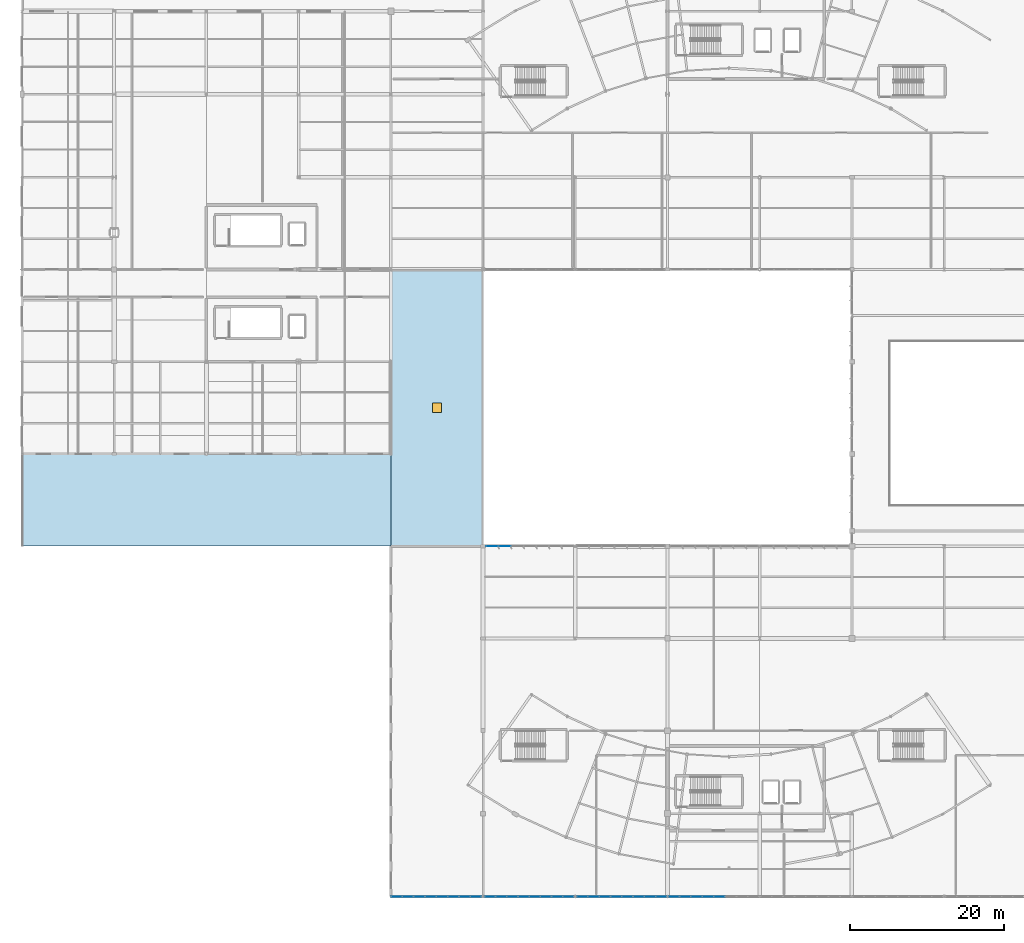
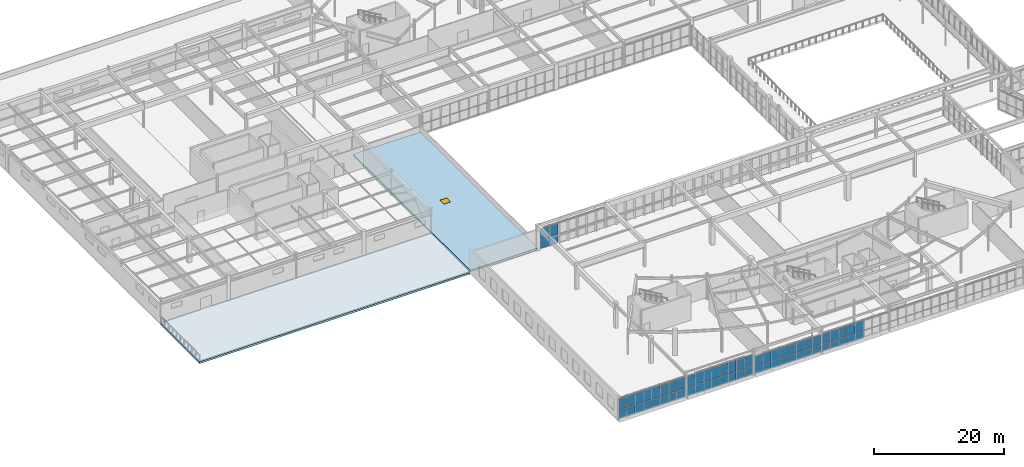
# One storey, part 113 of 186: 62 plates, 2 slabs, 1 door, 1 opening, 5 elements without a shape of their own.
"""IFC4 building model written with IfcOpenShell, lengths in metres."""

from ifc_helpers import new_model, si_unit, direction, frame, origin, origin_2d, place, context, subcontext, project, spatial, polyline, rectangle, outline, extrude, material, layer, layer_set, type_object, element, fill, aggregate, save


model = new_model("IFC4")

# Units and contexts
model_context = context("Model", 3, precision=1e-05, world=origin(), true_north=direction((0.0, 1.0)))
body_context = subcontext(model_context, "Body", "Model", "MODEL_VIEW")
ifc_project = project(units=[si_unit("LENGTHUNIT", "METRE"), si_unit("AREAUNIT", "SQUARE_METRE"), si_unit("VOLUMEUNIT", "CUBIC_METRE"), si_unit("PLANEANGLEUNIT", "RADIAN"), si_unit("MASSUNIT", "GRAM", prefix="KILO")], contexts=[model_context])

# Site, building, storey
site_placement = place(None, origin())
site = spatial("IfcSite", under=ifc_project, at=site_placement, CompositionType="ELEMENT")
building_placement = place(site_placement, origin())
building = spatial("IfcBuilding", under=site, at=building_placement, Name="Tarnwether General Hospital", CompositionType="ELEMENT")
storey_placement = place(building_placement, frame((0.0, 0.0, 9.60009765625)))
storey = spatial("IfcBuildingStorey", under=building, at=storey_placement, Name="L02", CompositionType="ELEMENT", Elevation=9.60009765625)

# Curtain wall, plates
ifc_material_1 = material(Name="Anodised aluminium", Category="aluminium")
ifc_layer_1 = layer(ifc_material_1, 0.159912109375)
ifc_layer_set_1 = layer_set([ifc_layer_1], Name="Anodised aluminium")
curtain_wall_type_1 = type_object("IfcCurtainWallType", Name="CW-13", PredefinedType="NOTDEFINED", material=ifc_layer_set_1)
curtain_wall_1_placement = place(storey_placement, origin())
curtain_wall_1 = element("IfcCurtainWall", 1, at=curtain_wall_1_placement, inside=storey, type_object=curtain_wall_type_1, Name="Curtain Wall CWG-L02-959_0-0412", PredefinedType="NOTDEFINED")
ifc_material_2 = material(Name="Double glazed low-E glass", Category="glass")
ifc_layer_2 = layer(ifc_material_2, 0.028076171875)
ifc_layer_set_2 = layer_set([ifc_layer_2], Name="Double glazed low-E glass")
plate_type = type_object("IfcPlateType", Name="PT-CWP1", PredefinedType="CURTAIN_PANEL", material=ifc_layer_set_2)
plate_1_placement = place(storey_placement, frame((90.7412109375, 0.0, 0.059814453125), z_axis=(0.0, 0.0, 1.0), x_axis=(-1.0, 0.0, 0.0)))
plate_1 = element("IfcPlate", 2, at=plate_1_placement, type_object=plate_type, Name="CW-13 panel 4.1", PredefinedType="CURTAIN_PANEL", context=body_context, shape_type="SweptSolid", body=[
    extrude(rectangle(XDim=1.42236328125, YDim=0.028076171875, at=origin_2d()), origin(), (0.0, 0.0, 1.0), 1.46923828125),
])
plate_2_placement = place(storey_placement, frame((90.7412109375, 0.0, 1.58935546875), z_axis=(0.0, 0.0, 1.0), x_axis=(-1.0, 0.0, 0.0)))
plate_2 = element("IfcPlate", 3, at=plate_2_placement, type_object=plate_type, Name="CW-13 panel 4.2", PredefinedType="CURTAIN_PANEL", context=body_context, shape_type="SweptSolid", body=[
    extrude(rectangle(XDim=1.42236328125, YDim=0.028076171875, at=origin_2d()), origin(), (0.0, 0.0, 1.0), 1.815673828125),
])
plate_3_placement = place(storey_placement, frame((89.2587890625, 0.0, 0.059814453125), z_axis=(0.0, 0.0, 1.0), x_axis=(-1.0, 0.0, 0.0)))
plate_3 = element("IfcPlate", 4, at=plate_3_placement, type_object=plate_type, Name="CW-13 panel 5.1", PredefinedType="CURTAIN_PANEL", context=body_context, shape_type="SweptSolid", body=[
    extrude(rectangle(XDim=1.42236328125, YDim=0.028076171875, at=origin_2d()), origin(), (0.0, 0.0, 1.0), 1.46923828125),
])
plate_4_placement = place(storey_placement, frame((89.2587890625, 0.0, 1.58935546875), z_axis=(0.0, 0.0, 1.0), x_axis=(-1.0, 0.0, 0.0)))
plate_4 = element("IfcPlate", 5, at=plate_4_placement, type_object=plate_type, Name="CW-13 panel 5.2", PredefinedType="CURTAIN_PANEL", context=body_context, shape_type="SweptSolid", body=[
    extrude(rectangle(XDim=1.42236328125, YDim=0.028076171875, at=origin_2d()), origin(), (0.0, 0.0, 1.0), 1.815673828125),
])
plate_5_placement = place(storey_placement, frame((87.776611328125, 0.0, 0.059814453125), z_axis=(0.0, 0.0, 1.0), x_axis=(-1.0, 0.0, 0.0)))
plate_5 = element("IfcPlate", 6, at=plate_5_placement, type_object=plate_type, Name="CW-13 panel 6.1", PredefinedType="CURTAIN_PANEL", context=body_context, shape_type="SweptSolid", body=[
    extrude(rectangle(XDim=1.42236328125, YDim=0.028076171875, at=origin_2d()), origin(), (0.0, 0.0, 1.0), 1.46923828125),
])
plate_6_placement = place(storey_placement, frame((87.776611328125, 0.0, 1.58935546875), z_axis=(0.0, 0.0, 1.0), x_axis=(-1.0, 0.0, 0.0)))
plate_6 = element("IfcPlate", 7, at=plate_6_placement, type_object=plate_type, Name="CW-13 panel 6.2", PredefinedType="CURTAIN_PANEL", context=body_context, shape_type="SweptSolid", body=[
    extrude(rectangle(XDim=1.42236328125, YDim=0.028076171875, at=origin_2d()), origin(), (0.0, 0.0, 1.0), 1.815673828125),
])
plate_7_placement = place(storey_placement, frame((86.29443359375, 0.0, 0.059814453125), z_axis=(0.0, 0.0, 1.0), x_axis=(-1.0, 0.0, 0.0)))
plate_7 = element("IfcPlate", 8, at=plate_7_placement, type_object=plate_type, Name="CW-13 panel 7.1", PredefinedType="CURTAIN_PANEL", context=body_context, shape_type="SweptSolid", body=[
    extrude(rectangle(XDim=1.42236328125, YDim=0.028076171875, at=origin_2d()), origin(), (0.0, 0.0, 1.0), 1.46923828125),
])
plate_8_placement = place(storey_placement, frame((86.29443359375, 0.0, 1.58935546875), z_axis=(0.0, 0.0, 1.0), x_axis=(-1.0, 0.0, 0.0)))
plate_8 = element("IfcPlate", 9, at=plate_8_placement, type_object=plate_type, Name="CW-13 panel 7.2", PredefinedType="CURTAIN_PANEL", context=body_context, shape_type="SweptSolid", body=[
    extrude(rectangle(XDim=1.42236328125, YDim=0.028076171875, at=origin_2d()), origin(), (0.0, 0.0, 1.0), 1.815673828125),
])
plate_9_placement = place(storey_placement, frame((84.8271484375, 0.0, 0.059814453125), z_axis=(0.0, 0.0, 1.0), x_axis=(-1.0, 0.0, 0.0)))
plate_9 = element("IfcPlate", 10, at=plate_9_placement, type_object=plate_type, Name="CW-13 panel 8.1", PredefinedType="CURTAIN_PANEL", context=body_context, shape_type="SweptSolid", body=[
    extrude(rectangle(XDim=1.392333984375, YDim=0.028076171875, at=origin_2d()), origin(), (0.0, 0.0, 1.0), 1.46923828125),
])
plate_10_placement = place(storey_placement, frame((84.8271484375, 0.0, 1.58935546875), z_axis=(0.0, 0.0, 1.0), x_axis=(-1.0, 0.0, 0.0)))
plate_10 = element("IfcPlate", 11, at=plate_10_placement, type_object=plate_type, Name="CW-13 panel 8.2", PredefinedType="CURTAIN_PANEL", context=body_context, shape_type="SweptSolid", body=[
    extrude(rectangle(XDim=1.392333984375, YDim=0.028076171875, at=origin_2d()), origin(), (0.0, 0.0, 1.0), 1.815673828125),
])
aggregate(curtain_wall_1, [plate_1, plate_2, plate_3, plate_4, plate_5, plate_6, plate_7, plate_8, plate_9, plate_10])

curtain_wall_2_placement = place(storey_placement, origin())
curtain_wall_2 = element("IfcCurtainWall", 12, at=curtain_wall_2_placement, inside=storey, type_object=curtain_wall_type_1, Name="Curtain Wall CWG-L02-839_0-0413", PredefinedType="NOTDEFINED")
plate_11_placement = place(storey_placement, frame((83.178955078125, 0.0, 0.059814453125), z_axis=(0.0, 0.0, 1.0), x_axis=(-1.0, 0.0, 0.0)))
plate_11 = element("IfcPlate", 13, at=plate_11_placement, type_object=plate_type, Name="CW-13 panel 1.1", PredefinedType="CURTAIN_PANEL", context=body_context, shape_type="SweptSolid", body=[
    extrude(rectangle(XDim=1.3798828125, YDim=0.028076171875, at=origin_2d()), origin(), (0.0, 0.0, 1.0), 1.46923828125),
])
plate_12_placement = place(storey_placement, frame((83.178955078125, 0.0, 1.58935546875), z_axis=(0.0, 0.0, 1.0), x_axis=(-1.0, 0.0, 0.0)))
plate_12 = element("IfcPlate", 14, at=plate_12_placement, type_object=plate_type, Name="CW-13 panel 1.2", PredefinedType="CURTAIN_PANEL", context=body_context, shape_type="SweptSolid", body=[
    extrude(rectangle(XDim=1.3798828125, YDim=0.028076171875, at=origin_2d()), origin(), (0.0, 0.0, 1.0), 1.815673828125),
])
plate_13_placement = place(storey_placement, frame((81.72412109375, 0.0, 0.059814453125), z_axis=(0.0, 0.0, 1.0), x_axis=(-1.0, 0.0, 0.0)))
plate_13 = element("IfcPlate", 15, at=plate_13_placement, type_object=plate_type, Name="CW-13 panel 2.1", PredefinedType="CURTAIN_PANEL", context=body_context, shape_type="SweptSolid", body=[
    extrude(rectangle(XDim=1.409912109375, YDim=0.028076171875, at=origin_2d()), origin(), (0.0, 0.0, 1.0), 1.46923828125),
])
plate_14_placement = place(storey_placement, frame((81.72412109375, 0.0, 1.58935546875), z_axis=(0.0, 0.0, 1.0), x_axis=(-1.0, 0.0, 0.0)))
plate_14 = element("IfcPlate", 16, at=plate_14_placement, type_object=plate_type, Name="CW-13 panel 2.2", PredefinedType="CURTAIN_PANEL", context=body_context, shape_type="SweptSolid", body=[
    extrude(rectangle(XDim=1.409912109375, YDim=0.028076171875, at=origin_2d()), origin(), (0.0, 0.0, 1.0), 1.815673828125),
])
plate_15_placement = place(storey_placement, frame((80.25439453125, 0.0, 0.059814453125), z_axis=(0.0, 0.0, 1.0), x_axis=(-1.0, 0.0, 0.0)))
plate_15 = element("IfcPlate", 17, at=plate_15_placement, type_object=plate_type, Name="CW-13 panel 3.1", PredefinedType="CURTAIN_PANEL", context=body_context, shape_type="SweptSolid", body=[
    extrude(rectangle(XDim=1.409912109375, YDim=0.028076171875, at=origin_2d()), origin(), (0.0, 0.0, 1.0), 1.46923828125),
])
plate_16_placement = place(storey_placement, frame((80.25439453125, 0.0, 1.58935546875), z_axis=(0.0, 0.0, 1.0), x_axis=(-1.0, 0.0, 0.0)))
plate_16 = element("IfcPlate", 18, at=plate_16_placement, type_object=plate_type, Name="CW-13 panel 3.2", PredefinedType="CURTAIN_PANEL", context=body_context, shape_type="SweptSolid", body=[
    extrude(rectangle(XDim=1.409912109375, YDim=0.028076171875, at=origin_2d()), origin(), (0.0, 0.0, 1.0), 1.815673828125),
])
plate_17_placement = place(storey_placement, frame((78.784423828125, 0.0, 0.059814453125), z_axis=(0.0, 0.0, 1.0), x_axis=(-1.0, 0.0, 0.0)))
plate_17 = element("IfcPlate", 19, at=plate_17_placement, type_object=plate_type, Name="CW-13 panel 4.1", PredefinedType="CURTAIN_PANEL", context=body_context, shape_type="SweptSolid", body=[
    extrude(rectangle(XDim=1.409912109375, YDim=0.028076171875, at=origin_2d()), origin(), (0.0, 0.0, 1.0), 1.46923828125),
])
plate_18_placement = place(storey_placement, frame((78.784423828125, 0.0, 1.58935546875), z_axis=(0.0, 0.0, 1.0), x_axis=(-1.0, 0.0, 0.0)))
plate_18 = element("IfcPlate", 20, at=plate_18_placement, type_object=plate_type, Name="CW-13 panel 4.2", PredefinedType="CURTAIN_PANEL", context=body_context, shape_type="SweptSolid", body=[
    extrude(rectangle(XDim=1.409912109375, YDim=0.028076171875, at=origin_2d()), origin(), (0.0, 0.0, 1.0), 1.815673828125),
])
plate_19_placement = place(storey_placement, frame((77.314453125, 0.0, 0.059814453125), z_axis=(0.0, 0.0, 1.0), x_axis=(-1.0, 0.0, 0.0)))
plate_19 = element("IfcPlate", 21, at=plate_19_placement, type_object=plate_type, Name="CW-13 panel 5.1", PredefinedType="CURTAIN_PANEL", context=body_context, shape_type="SweptSolid", body=[
    extrude(rectangle(XDim=1.409912109375, YDim=0.028076171875, at=origin_2d()), origin(), (0.0, 0.0, 1.0), 1.46923828125),
])
plate_20_placement = place(storey_placement, frame((77.314453125, 0.0, 1.58935546875), z_axis=(0.0, 0.0, 1.0), x_axis=(-1.0, 0.0, 0.0)))
plate_20 = element("IfcPlate", 22, at=plate_20_placement, type_object=plate_type, Name="CW-13 panel 5.2", PredefinedType="CURTAIN_PANEL", context=body_context, shape_type="SweptSolid", body=[
    extrude(rectangle(XDim=1.409912109375, YDim=0.028076171875, at=origin_2d()), origin(), (0.0, 0.0, 1.0), 1.815673828125),
])
plate_21_placement = place(storey_placement, frame((75.8447265625, 0.0, 0.059814453125), z_axis=(0.0, 0.0, 1.0), x_axis=(-1.0, 0.0, 0.0)))
plate_21 = element("IfcPlate", 23, at=plate_21_placement, type_object=plate_type, Name="CW-13 panel 6.1", PredefinedType="CURTAIN_PANEL", context=body_context, shape_type="SweptSolid", body=[
    extrude(rectangle(XDim=1.409912109375, YDim=0.028076171875, at=origin_2d()), origin(), (0.0, 0.0, 1.0), 1.46923828125),
])
plate_22_placement = place(storey_placement, frame((75.8447265625, 0.0, 1.58935546875), z_axis=(0.0, 0.0, 1.0), x_axis=(-1.0, 0.0, 0.0)))
plate_22 = element("IfcPlate", 24, at=plate_22_placement, type_object=plate_type, Name="CW-13 panel 6.2", PredefinedType="CURTAIN_PANEL", context=body_context, shape_type="SweptSolid", body=[
    extrude(rectangle(XDim=1.409912109375, YDim=0.028076171875, at=origin_2d()), origin(), (0.0, 0.0, 1.0), 1.815673828125),
])
plate_23_placement = place(storey_placement, frame((74.374755859375, 0.0, 0.059814453125), z_axis=(0.0, 0.0, 1.0), x_axis=(-1.0, 0.0, 0.0)))
plate_23 = element("IfcPlate", 25, at=plate_23_placement, type_object=plate_type, Name="CW-13 panel 7.1", PredefinedType="CURTAIN_PANEL", context=body_context, shape_type="SweptSolid", body=[
    extrude(rectangle(XDim=1.409912109375, YDim=0.028076171875, at=origin_2d()), origin(), (0.0, 0.0, 1.0), 1.46923828125),
])
plate_24_placement = place(storey_placement, frame((74.374755859375, 0.0, 1.58935546875), z_axis=(0.0, 0.0, 1.0), x_axis=(-1.0, 0.0, 0.0)))
plate_24 = element("IfcPlate", 26, at=plate_24_placement, type_object=plate_type, Name="CW-13 panel 7.2", PredefinedType="CURTAIN_PANEL", context=body_context, shape_type="SweptSolid", body=[
    extrude(rectangle(XDim=1.409912109375, YDim=0.028076171875, at=origin_2d()), origin(), (0.0, 0.0, 1.0), 1.815673828125),
])
plate_25_placement = place(storey_placement, frame((72.919921875, 0.0, 0.059814453125), z_axis=(0.0, 0.0, 1.0), x_axis=(-1.0, 0.0, 0.0)))
plate_25 = element("IfcPlate", 27, at=plate_25_placement, type_object=plate_type, Name="CW-13 panel 8.1", PredefinedType="CURTAIN_PANEL", context=body_context, shape_type="SweptSolid", body=[
    extrude(rectangle(XDim=1.3798828125, YDim=0.028076171875, at=origin_2d()), origin(), (0.0, 0.0, 1.0), 1.46923828125),
])
plate_26_placement = place(storey_placement, frame((72.919921875, 0.0, 1.58935546875), z_axis=(0.0, 0.0, 1.0), x_axis=(-1.0, 0.0, 0.0)))
plate_26 = element("IfcPlate", 28, at=plate_26_placement, type_object=plate_type, Name="CW-13 panel 8.2", PredefinedType="CURTAIN_PANEL", context=body_context, shape_type="SweptSolid", body=[
    extrude(rectangle(XDim=1.3798828125, YDim=0.028076171875, at=origin_2d()), origin(), (0.0, 0.0, 1.0), 1.815673828125),
])
aggregate(curtain_wall_2, [plate_11, plate_12, plate_13, plate_14, plate_15, plate_16, plate_17, plate_18, plate_19, plate_20, plate_21, plate_22, plate_23, plate_24, plate_25, plate_26])

curtain_wall_3_placement = place(storey_placement, origin())
curtain_wall_3 = element("IfcCurtainWall", 29, at=curtain_wall_3_placement, inside=storey, type_object=curtain_wall_type_1, Name="Curtain Wall CWG-L02-718_0-0414", PredefinedType="NOTDEFINED")
plate_27_placement = place(storey_placement, frame((71.086181640625, 0.0, 0.06005859375), z_axis=(0.0, 0.0, 1.0), x_axis=(-1.0, 0.0, 0.0)))
plate_27 = element("IfcPlate", 30, at=plate_27_placement, type_object=plate_type, Name="CW-13 panel 1.1", PredefinedType="CURTAIN_PANEL", context=body_context, shape_type="SweptSolid", body=[
    extrude(rectangle(XDim=1.367431640625, YDim=0.028076171875, at=origin_2d()), origin(), (0.0, 0.0, 1.0), 1.691162109375),
])
plate_28_placement = place(storey_placement, frame((71.086181640625, 0.0, 1.81103515625), z_axis=(0.0, 0.0, 1.0), x_axis=(-1.0, 0.0, 0.0)))
plate_28 = element("IfcPlate", 31, at=plate_28_placement, type_object=plate_type, Name="CW-13 panel 1.2", PredefinedType="CURTAIN_PANEL", context=body_context, shape_type="SweptSolid", body=[
    extrude(rectangle(XDim=1.367431640625, YDim=0.028076171875, at=origin_2d()), origin(), (0.0, 0.0, 1.0), 2.0869140625),
])
plate_29_placement = place(storey_placement, frame((69.643798828125, 0.0, 0.06005859375), z_axis=(0.0, 0.0, 1.0), x_axis=(-1.0, 0.0, 0.0)))
plate_29 = element("IfcPlate", 32, at=plate_29_placement, type_object=plate_type, Name="CW-13 panel 2.1", PredefinedType="CURTAIN_PANEL", context=body_context, shape_type="SweptSolid", body=[
    extrude(rectangle(XDim=1.3974609375, YDim=0.028076171875, at=origin_2d()), origin(), (0.0, 0.0, 1.0), 1.691162109375),
])
plate_30_placement = place(storey_placement, frame((69.643798828125, 0.0, 1.81103515625), z_axis=(0.0, 0.0, 1.0), x_axis=(-1.0, 0.0, 0.0)))
plate_30 = element("IfcPlate", 33, at=plate_30_placement, type_object=plate_type, Name="CW-13 panel 2.2", PredefinedType="CURTAIN_PANEL", context=body_context, shape_type="SweptSolid", body=[
    extrude(rectangle(XDim=1.3974609375, YDim=0.028076171875, at=origin_2d()), origin(), (0.0, 0.0, 1.0), 2.0869140625),
])
plate_31_placement = place(storey_placement, frame((68.186279296875, 0.0, 0.06005859375), z_axis=(0.0, 0.0, 1.0), x_axis=(-1.0, 0.0, 0.0)))
plate_31 = element("IfcPlate", 34, at=plate_31_placement, type_object=plate_type, Name="CW-13 panel 3.1", PredefinedType="CURTAIN_PANEL", context=body_context, shape_type="SweptSolid", body=[
    extrude(rectangle(XDim=1.3974609375, YDim=0.028076171875, at=origin_2d()), origin(), (0.0, 0.0, 1.0), 1.691162109375),
])
plate_32_placement = place(storey_placement, frame((68.186279296875, 0.0, 1.81103515625), z_axis=(0.0, 0.0, 1.0), x_axis=(-1.0, 0.0, 0.0)))
plate_32 = element("IfcPlate", 35, at=plate_32_placement, type_object=plate_type, Name="CW-13 panel 3.2", PredefinedType="CURTAIN_PANEL", context=body_context, shape_type="SweptSolid", body=[
    extrude(rectangle(XDim=1.3974609375, YDim=0.028076171875, at=origin_2d()), origin(), (0.0, 0.0, 1.0), 2.0869140625),
])
plate_33_placement = place(storey_placement, frame((66.728759765625, 0.0, 0.06005859375), z_axis=(0.0, 0.0, 1.0), x_axis=(-1.0, 0.0, 0.0)))
plate_33 = element("IfcPlate", 36, at=plate_33_placement, type_object=plate_type, Name="CW-13 panel 4.1", PredefinedType="CURTAIN_PANEL", context=body_context, shape_type="SweptSolid", body=[
    extrude(rectangle(XDim=1.3974609375, YDim=0.028076171875, at=origin_2d()), origin(), (0.0, 0.0, 1.0), 1.691162109375),
])
plate_34_placement = place(storey_placement, frame((66.728759765625, 0.0, 1.81103515625), z_axis=(0.0, 0.0, 1.0), x_axis=(-1.0, 0.0, 0.0)))
plate_34 = element("IfcPlate", 37, at=plate_34_placement, type_object=plate_type, Name="CW-13 panel 4.2", PredefinedType="CURTAIN_PANEL", context=body_context, shape_type="SweptSolid", body=[
    extrude(rectangle(XDim=1.3974609375, YDim=0.028076171875, at=origin_2d()), origin(), (0.0, 0.0, 1.0), 2.0869140625),
])
plate_35_placement = place(storey_placement, frame((65.271240234375, 0.0, 0.06005859375), z_axis=(0.0, 0.0, 1.0), x_axis=(-1.0, 0.0, 0.0)))
plate_35 = element("IfcPlate", 38, at=plate_35_placement, type_object=plate_type, Name="CW-13 panel 5.1", PredefinedType="CURTAIN_PANEL", context=body_context, shape_type="SweptSolid", body=[
    extrude(rectangle(XDim=1.3974609375, YDim=0.028076171875, at=origin_2d()), origin(), (0.0, 0.0, 1.0), 1.691162109375),
])
plate_36_placement = place(storey_placement, frame((65.271240234375, 0.0, 1.81103515625), z_axis=(0.0, 0.0, 1.0), x_axis=(-1.0, 0.0, 0.0)))
plate_36 = element("IfcPlate", 39, at=plate_36_placement, type_object=plate_type, Name="CW-13 panel 5.2", PredefinedType="CURTAIN_PANEL", context=body_context, shape_type="SweptSolid", body=[
    extrude(rectangle(XDim=1.3974609375, YDim=0.028076171875, at=origin_2d()), origin(), (0.0, 0.0, 1.0), 2.0869140625),
])
plate_37_placement = place(storey_placement, frame((63.813720703125, 0.0, 0.06005859375), z_axis=(0.0, 0.0, 1.0), x_axis=(-1.0, 0.0, 0.0)))
plate_37 = element("IfcPlate", 40, at=plate_37_placement, type_object=plate_type, Name="CW-13 panel 6.1", PredefinedType="CURTAIN_PANEL", context=body_context, shape_type="SweptSolid", body=[
    extrude(rectangle(XDim=1.3974609375, YDim=0.028076171875, at=origin_2d()), origin(), (0.0, 0.0, 1.0), 1.691162109375),
])
plate_38_placement = place(storey_placement, frame((63.813720703125, 0.0, 1.81103515625), z_axis=(0.0, 0.0, 1.0), x_axis=(-1.0, 0.0, 0.0)))
plate_38 = element("IfcPlate", 41, at=plate_38_placement, type_object=plate_type, Name="CW-13 panel 6.2", PredefinedType="CURTAIN_PANEL", context=body_context, shape_type="SweptSolid", body=[
    extrude(rectangle(XDim=1.3974609375, YDim=0.028076171875, at=origin_2d()), origin(), (0.0, 0.0, 1.0), 2.0869140625),
])
plate_39_placement = place(storey_placement, frame((62.356201171875, 0.0, 0.06005859375), z_axis=(0.0, 0.0, 1.0), x_axis=(-1.0, 0.0, 0.0)))
plate_39 = element("IfcPlate", 42, at=plate_39_placement, type_object=plate_type, Name="CW-13 panel 7.1", PredefinedType="CURTAIN_PANEL", context=body_context, shape_type="SweptSolid", body=[
    extrude(rectangle(XDim=1.3974609375, YDim=0.028076171875, at=origin_2d()), origin(), (0.0, 0.0, 1.0), 1.691162109375),
])
plate_40_placement = place(storey_placement, frame((62.356201171875, 0.0, 1.81103515625), z_axis=(0.0, 0.0, 1.0), x_axis=(-1.0, 0.0, 0.0)))
plate_40 = element("IfcPlate", 43, at=plate_40_placement, type_object=plate_type, Name="CW-13 panel 7.2", PredefinedType="CURTAIN_PANEL", context=body_context, shape_type="SweptSolid", body=[
    extrude(rectangle(XDim=1.3974609375, YDim=0.028076171875, at=origin_2d()), origin(), (0.0, 0.0, 1.0), 2.0869140625),
])
plate_41_placement = place(storey_placement, frame((60.913818359375, 0.0, 0.06005859375), z_axis=(0.0, 0.0, 1.0), x_axis=(-1.0, 0.0, 0.0)))
plate_41 = element("IfcPlate", 44, at=plate_41_placement, type_object=plate_type, Name="CW-13 panel 8.1", PredefinedType="CURTAIN_PANEL", context=body_context, shape_type="SweptSolid", body=[
    extrude(rectangle(XDim=1.367431640625, YDim=0.028076171875, at=origin_2d()), origin(), (0.0, 0.0, 1.0), 1.691162109375),
])
plate_42_placement = place(storey_placement, frame((60.913818359375, 0.0, 1.81103515625), z_axis=(0.0, 0.0, 1.0), x_axis=(-1.0, 0.0, 0.0)))
plate_42 = element("IfcPlate", 45, at=plate_42_placement, type_object=plate_type, Name="CW-13 panel 8.2", PredefinedType="CURTAIN_PANEL", context=body_context, shape_type="SweptSolid", body=[
    extrude(rectangle(XDim=1.367431640625, YDim=0.028076171875, at=origin_2d()), origin(), (0.0, 0.0, 1.0), 2.0869140625),
])
aggregate(curtain_wall_3, [plate_27, plate_28, plate_29, plate_30, plate_31, plate_32, plate_33, plate_34, plate_35, plate_36, plate_37, plate_38, plate_39, plate_40, plate_41, plate_42])

curtain_wall_4_placement = place(storey_placement, origin())
curtain_wall_4 = element("IfcCurtainWall", 46, at=curtain_wall_4_placement, inside=storey, type_object=curtain_wall_type_1, Name="Curtain Wall CWG-L02-598_0-0415", PredefinedType="NOTDEFINED")
plate_43_placement = place(storey_placement, frame((59.07568359375, 0.0, 0.06005859375), z_axis=(0.0, 0.0, 1.0), x_axis=(-1.0, 0.0, 0.0)))
plate_43 = element("IfcPlate", 47, at=plate_43_placement, type_object=plate_type, Name="CW-13 panel 1.1", PredefinedType="CURTAIN_PANEL", context=body_context, shape_type="SweptSolid", body=[
    extrude(rectangle(XDim=1.388671875, YDim=0.028076171875, at=origin_2d()), origin(), (0.0, 0.0, 1.0), 1.691162109375),
])
plate_44_placement = place(storey_placement, frame((59.07568359375, 0.0, 1.81103515625), z_axis=(0.0, 0.0, 1.0), x_axis=(-1.0, 0.0, 0.0)))
plate_44 = element("IfcPlate", 48, at=plate_44_placement, type_object=plate_type, Name="CW-13 panel 1.2", PredefinedType="CURTAIN_PANEL", context=body_context, shape_type="SweptSolid", body=[
    extrude(rectangle(XDim=1.388671875, YDim=0.028076171875, at=origin_2d()), origin(), (0.0, 0.0, 1.0), 2.0869140625),
])
plate_45_placement = place(storey_placement, frame((57.61181640625, 0.0, 0.06005859375), z_axis=(0.0, 0.0, 1.0), x_axis=(-1.0, 0.0, 0.0)))
plate_45 = element("IfcPlate", 49, at=plate_45_placement, type_object=plate_type, Name="CW-13 panel 2.1", PredefinedType="CURTAIN_PANEL", context=body_context, shape_type="SweptSolid", body=[
    extrude(rectangle(XDim=1.418701171875, YDim=0.028076171875, at=origin_2d()), origin(), (0.0, 0.0, 1.0), 1.691162109375),
])
plate_46_placement = place(storey_placement, frame((57.61181640625, 0.0, 1.81103515625), z_axis=(0.0, 0.0, 1.0), x_axis=(-1.0, 0.0, 0.0)))
plate_46 = element("IfcPlate", 50, at=plate_46_placement, type_object=plate_type, Name="CW-13 panel 2.2", PredefinedType="CURTAIN_PANEL", context=body_context, shape_type="SweptSolid", body=[
    extrude(rectangle(XDim=1.418701171875, YDim=0.028076171875, at=origin_2d()), origin(), (0.0, 0.0, 1.0), 2.0869140625),
])
plate_47_placement = place(storey_placement, frame((56.133056640625, 0.0, 0.06005859375), z_axis=(0.0, 0.0, 1.0), x_axis=(-1.0, 0.0, 0.0)))
plate_47 = element("IfcPlate", 51, at=plate_47_placement, type_object=plate_type, Name="CW-13 panel 3.1", PredefinedType="CURTAIN_PANEL", context=body_context, shape_type="SweptSolid", body=[
    extrude(rectangle(XDim=1.418701171875, YDim=0.028076171875, at=origin_2d()), origin(), (0.0, 0.0, 1.0), 1.691162109375),
])
plate_48_placement = place(storey_placement, frame((56.133056640625, 0.0, 1.81103515625), z_axis=(0.0, 0.0, 1.0), x_axis=(-1.0, 0.0, 0.0)))
plate_48 = element("IfcPlate", 52, at=plate_48_placement, type_object=plate_type, Name="CW-13 panel 3.2", PredefinedType="CURTAIN_PANEL", context=body_context, shape_type="SweptSolid", body=[
    extrude(rectangle(XDim=1.418701171875, YDim=0.028076171875, at=origin_2d()), origin(), (0.0, 0.0, 1.0), 2.0869140625),
])
plate_49_placement = place(storey_placement, frame((54.654296875, 0.0, 0.06005859375), z_axis=(0.0, 0.0, 1.0), x_axis=(-1.0, 0.0, 0.0)))
plate_49 = element("IfcPlate", 53, at=plate_49_placement, type_object=plate_type, Name="CW-13 panel 4.1", PredefinedType="CURTAIN_PANEL", context=body_context, shape_type="SweptSolid", body=[
    extrude(rectangle(XDim=1.418701171875, YDim=0.028076171875, at=origin_2d()), origin(), (0.0, 0.0, 1.0), 1.691162109375),
])
plate_50_placement = place(storey_placement, frame((54.654296875, 0.0, 1.81103515625), z_axis=(0.0, 0.0, 1.0), x_axis=(-1.0, 0.0, 0.0)))
plate_50 = element("IfcPlate", 54, at=plate_50_placement, type_object=plate_type, Name="CW-13 panel 4.2", PredefinedType="CURTAIN_PANEL", context=body_context, shape_type="SweptSolid", body=[
    extrude(rectangle(XDim=1.418701171875, YDim=0.028076171875, at=origin_2d()), origin(), (0.0, 0.0, 1.0), 2.0869140625),
])
plate_51_placement = place(storey_placement, frame((53.175537109375, 0.0, 0.06005859375), z_axis=(0.0, 0.0, 1.0), x_axis=(-1.0, 0.0, 0.0)))
plate_51 = element("IfcPlate", 55, at=plate_51_placement, type_object=plate_type, Name="CW-13 panel 5.1", PredefinedType="CURTAIN_PANEL", context=body_context, shape_type="SweptSolid", body=[
    extrude(rectangle(XDim=1.418701171875, YDim=0.028076171875, at=origin_2d()), origin(), (0.0, 0.0, 1.0), 1.691162109375),
])
plate_52_placement = place(storey_placement, frame((53.175537109375, 0.0, 1.81103515625), z_axis=(0.0, 0.0, 1.0), x_axis=(-1.0, 0.0, 0.0)))
plate_52 = element("IfcPlate", 56, at=plate_52_placement, type_object=plate_type, Name="CW-13 panel 5.2", PredefinedType="CURTAIN_PANEL", context=body_context, shape_type="SweptSolid", body=[
    extrude(rectangle(XDim=1.418701171875, YDim=0.028076171875, at=origin_2d()), origin(), (0.0, 0.0, 1.0), 2.0869140625),
])
plate_53_placement = place(storey_placement, frame((51.69677734375, 0.0, 0.06005859375), z_axis=(0.0, 0.0, 1.0), x_axis=(-1.0, 0.0, 0.0)))
plate_53 = element("IfcPlate", 57, at=plate_53_placement, type_object=plate_type, Name="CW-13 panel 6.1", PredefinedType="CURTAIN_PANEL", context=body_context, shape_type="SweptSolid", body=[
    extrude(rectangle(XDim=1.418701171875, YDim=0.028076171875, at=origin_2d()), origin(), (0.0, 0.0, 1.0), 1.691162109375),
])
plate_54_placement = place(storey_placement, frame((51.69677734375, 0.0, 1.81103515625), z_axis=(0.0, 0.0, 1.0), x_axis=(-1.0, 0.0, 0.0)))
plate_54 = element("IfcPlate", 58, at=plate_54_placement, type_object=plate_type, Name="CW-13 panel 6.2", PredefinedType="CURTAIN_PANEL", context=body_context, shape_type="SweptSolid", body=[
    extrude(rectangle(XDim=1.418701171875, YDim=0.028076171875, at=origin_2d()), origin(), (0.0, 0.0, 1.0), 2.0869140625),
])
plate_55_placement = place(storey_placement, frame((50.218017578125, 0.0, 0.06005859375), z_axis=(0.0, 0.0, 1.0), x_axis=(-1.0, 0.0, 0.0)))
plate_55 = element("IfcPlate", 59, at=plate_55_placement, type_object=plate_type, Name="CW-13 panel 7.1", PredefinedType="CURTAIN_PANEL", context=body_context, shape_type="SweptSolid", body=[
    extrude(rectangle(XDim=1.418701171875, YDim=0.028076171875, at=origin_2d()), origin(), (0.0, 0.0, 1.0), 1.691162109375),
])
plate_56_placement = place(storey_placement, frame((50.218017578125, 0.0, 1.81103515625), z_axis=(0.0, 0.0, 1.0), x_axis=(-1.0, 0.0, 0.0)))
plate_56 = element("IfcPlate", 60, at=plate_56_placement, type_object=plate_type, Name="CW-13 panel 7.2", PredefinedType="CURTAIN_PANEL", context=body_context, shape_type="SweptSolid", body=[
    extrude(rectangle(XDim=1.418701171875, YDim=0.028076171875, at=origin_2d()), origin(), (0.0, 0.0, 1.0), 2.0869140625),
])
plate_57_placement = place(storey_placement, frame((48.75439453125, 0.0, 0.06005859375), z_axis=(0.0, 0.0, 1.0), x_axis=(-1.0, 0.0, 0.0)))
plate_57 = element("IfcPlate", 61, at=plate_57_placement, type_object=plate_type, Name="CW-13 panel 8.1", PredefinedType="CURTAIN_PANEL", context=body_context, shape_type="SweptSolid", body=[
    extrude(rectangle(XDim=1.388671875, YDim=0.028076171875, at=origin_2d()), origin(), (0.0, 0.0, 1.0), 1.691162109375),
])
plate_58_placement = place(storey_placement, frame((48.75439453125, 0.0, 1.81103515625), z_axis=(0.0, 0.0, 1.0), x_axis=(-1.0, 0.0, 0.0)))
plate_58 = element("IfcPlate", 62, at=plate_58_placement, type_object=plate_type, Name="CW-13 panel 8.2", PredefinedType="CURTAIN_PANEL", context=body_context, shape_type="SweptSolid", body=[
    extrude(rectangle(XDim=1.388671875, YDim=0.028076171875, at=origin_2d()), origin(), (0.0, 0.0, 1.0), 2.0869140625),
])
aggregate(curtain_wall_4, [plate_43, plate_44, plate_45, plate_46, plate_47, plate_48, plate_49, plate_50, plate_51, plate_52, plate_53, plate_54, plate_55, plate_56, plate_57, plate_58])

ifc_material_3 = material(Name="Anodised aluminium", Category="aluminium")
ifc_layer_3 = layer(ifc_material_3, 0.159912109375)
ifc_layer_set_3 = layer_set([ifc_layer_3], Name="Anodised aluminium")
curtain_wall_type_2 = type_object("IfcCurtainWallType", Name="CW-24", PredefinedType="NOTDEFINED", material=ifc_layer_set_3)
curtain_wall_5_placement = place(storey_placement, origin())
curtain_wall_5 = element("IfcCurtainWall", 63, at=curtain_wall_5_placement, inside=storey, type_object=curtain_wall_type_2, Name="Curtain Wall CWG-L02-719_456-0433", PredefinedType="NOTDEFINED")
plate_59_placement = place(storey_placement, frame((62.823486328125, 45.60009765625, 0.059814453125), z_axis=(0.0, 0.0, 1.0), x_axis=(-1.0, 0.0, 0.0)))
plate_59 = element("IfcPlate", 64, at=plate_59_placement, type_object=plate_type, Name="CW-24 panel 6.1", PredefinedType="CURTAIN_PANEL", context=body_context, shape_type="SweptSolid", body=[
    extrude(rectangle(XDim=1.583740234375, YDim=0.028076171875, at=origin_2d()), origin(), (0.0, 0.0, 1.0), 1.6357421875),
])
plate_60_placement = place(storey_placement, frame((62.823486328125, 45.60009765625, 1.75537109375), z_axis=(0.0, 0.0, 1.0), x_axis=(-1.0, 0.0, 0.0)))
plate_60 = element("IfcPlate", 65, at=plate_60_placement, type_object=plate_type, Name="CW-24 panel 6.2", PredefinedType="CURTAIN_PANEL", context=body_context, shape_type="SweptSolid", body=[
    extrude(rectangle(XDim=1.583740234375, YDim=0.028076171875, at=origin_2d()), origin(), (0.0, 0.0, 1.0), 2.019287109375),
])
plate_61_placement = place(storey_placement, frame((61.19482421875, 45.60009765625, 0.059814453125), z_axis=(0.0, 0.0, 1.0), x_axis=(-1.0, 0.0, 0.0)))
plate_61 = element("IfcPlate", 66, at=plate_61_placement, type_object=plate_type, Name="CW-24 panel 7.1", PredefinedType="CURTAIN_PANEL", context=body_context, shape_type="SweptSolid", body=[
    extrude(rectangle(XDim=1.5537109375, YDim=0.028076171875, at=origin_2d()), origin(), (0.0, 0.0, 1.0), 1.6357421875),
])
plate_62_placement = place(storey_placement, frame((61.19482421875, 45.60009765625, 1.75537109375), z_axis=(0.0, 0.0, 1.0), x_axis=(-1.0, 0.0, 0.0)))
plate_62 = element("IfcPlate", 67, at=plate_62_placement, type_object=plate_type, Name="CW-24 panel 7.2", PredefinedType="CURTAIN_PANEL", context=body_context, shape_type="SweptSolid", body=[
    extrude(rectangle(XDim=1.5537109375, YDim=0.028076171875, at=origin_2d()), origin(), (0.0, 0.0, 1.0), 2.019287109375),
])
aggregate(curtain_wall_5, [plate_59, plate_60, plate_61, plate_62])

# Slab, opening, door
ifc_material_4 = material(Name="Concrete 40 MPa", Category="concrete")
ifc_layer_4 = layer(ifc_material_4, 0.330078125)
ifc_layer_set_4 = layer_set([ifc_layer_4], Name="Concrete 40 MPa")
slab_type_1 = type_object("IfcSlabType", Name="SL-RF200", PredefinedType="ROOF", material=ifc_layer_set_4)
slab_1_placement = place(storey_placement, origin())
slab_1 = element("IfcSlab", 68, at=slab_1_placement, inside=storey, type_object=slab_type_1, Name="L02 Central-West ICU Podium Roof SL-L02-RFCTW", PredefinedType="ROOF", context=body_context, shape_type="SweptSolid", body=[
    extrude(outline(polyline([(60.0, 45.60009765625), (60.0, 81.60009765625), (48.0, 81.60009765625), (48.0, 45.60009765625), (60.0, 45.60009765625)])), origin(), (0.0, 0.0, 1.0), 0.329833984375),
])
opening_placement = place(slab_1_placement, frame((54.0, 63.60009765625, 0.0)))
opening = element("IfcOpeningElement", 69, at=opening_placement, cuts=slab_1, Name="Opening RH-01", PredefinedType="OPENING", context=body_context, shape_type="SweptSolid", body=[
    extrude(rectangle(XDim=1.199951171875, YDim=1.199951171875, at=origin_2d()), origin(), (0.0, 0.0, 1.0), 0.329833984375),
])
ifc_material_5 = material(Name="Anodised aluminium", Category="aluminium")
door_type = type_object("IfcDoorType", Name="DR-HT01", OperationType="NOTDEFINED", PredefinedType="TRAPDOOR", material=ifc_material_5)
door_placement = place(opening_placement, frame((0.0, 0.0, 0.27978515625)))
door = element("IfcDoor", 70, at=door_placement, inside=storey, type_object=door_type, Name="Roof Maintenance Access Hatch 003", OperationType="SINGLE_SWING_LEFT", OverallHeight=1.199951171875, OverallWidth=1.199951171875, PredefinedType="TRAPDOOR", context=body_context, shape_type="SweptSolid", body=[
    extrude(rectangle(XDim=1.199951171875, YDim=1.199951171875, at=origin_2d()), origin(), (0.0, 0.0, 1.0), 0.050048828125),
])
fill(opening, door)

# Slab
ifc_material_6 = material(Name="Concrete 40 MPa", Category="concrete")
ifc_layer_5 = layer(ifc_material_6, 0.360107421875)
ifc_layer_set_5 = layer_set([ifc_layer_5], Name="Concrete 40 MPa")
slab_type_2 = type_object("IfcSlabType", Name="SL-TR240", PredefinedType="FLOOR", material=ifc_layer_set_5)
slab_2_placement = place(storey_placement, frame((0.0, 0.0, -0.360107421875)))
element("IfcSlab", 71, at=slab_2_placement, inside=storey, type_object=slab_type_2, Name="L02 West Healing Roof Garden SL-L02-GDNW", PredefinedType="FLOOR", context=body_context, shape_type="SweptSolid", body=[
    extrude(outline(polyline([(48.0, 45.60009765625), (48.0, 57.60009765625), (0.0, 57.60009765625), (0.0, 45.60009765625), (48.0, 45.60009765625)])), origin(), (0.0, 0.0, 1.0), 0.360107421875),
])

save(model, "model.ifc")
